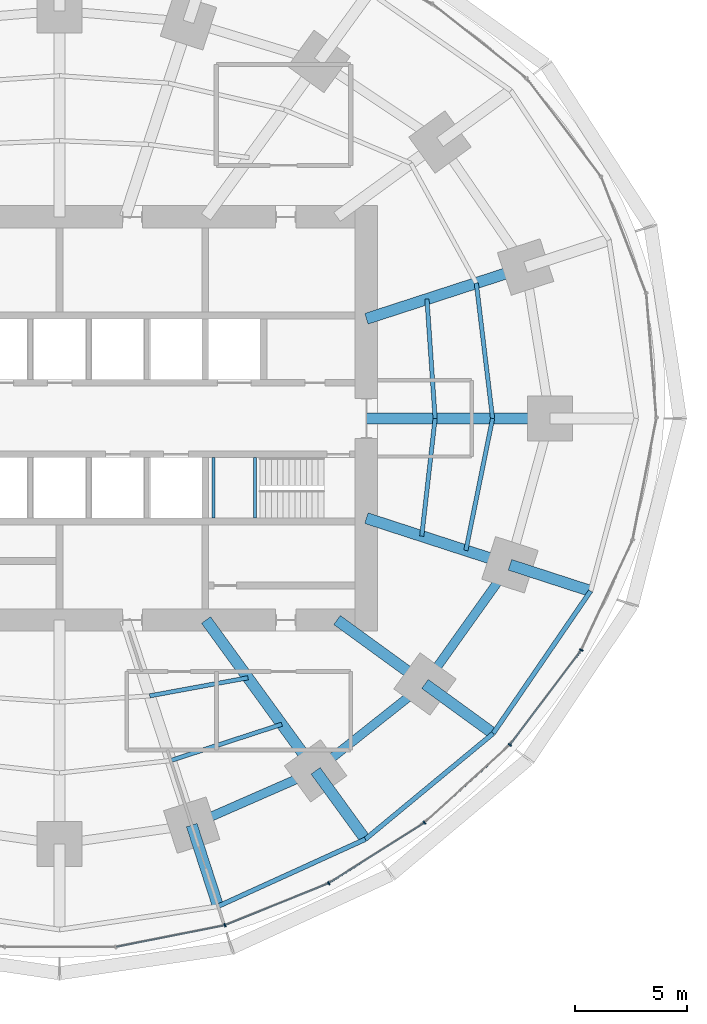
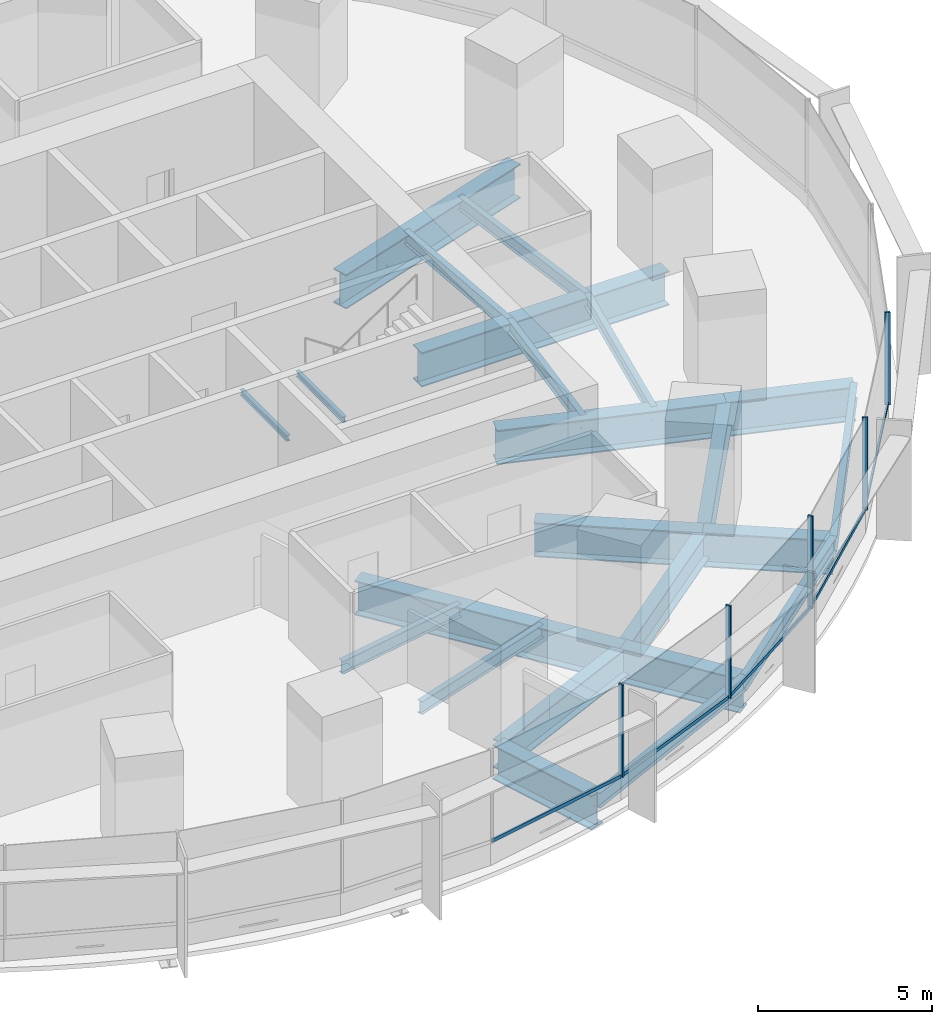
# One storey, part 5 of 15: 23 beams, 10 members, 2 elements without a shape of their own.
"""IFC4 building model written with IfcOpenShell, lengths in metres."""

import ifcopenshell
import ifcopenshell.guid

model = None  # the IFC model being written
_history = None  # IfcOwnerHistory: only IFC2X3 demands one
_inside = {}  # id of a spatial element -> (the spatial element, [elements in it])
_under = {}  # id of a project, library or spatial element -> (it, [spatial elements below it])
_declared = {}  # id of a project -> (the project, [libraries it declares])
_typed = {}  # id of a type object -> (the type object, [elements of that type])
_made_of = {}  # id of a material, layer set ... -> (it, [elements and type objects made of it])


def new_model(schema):
    """Start an empty IFC model of exactly this schema.

    Asked for "IFC4X3", IfcOpenShell would pick the latest addendum, in which some entities
    have other attributes; the version numbers below select the first issue.
    IFC2X3 requires an IfcOwnerHistory on every rooted entity: one is made here for all.
    """
    global model, _history
    if schema == "IFC4X3":
        model = ifcopenshell.file(schema_version=(4, 3, 0, 0))
    else:
        model = ifcopenshell.file(schema=schema)
    _inside.clear()
    _under.clear()
    _declared.clear()
    _typed.clear()
    _made_of.clear()
    _history = None
    if model.schema == "IFC2X3":
        org = make("IfcOrganization", Name="unknown")
        user = make(
            "IfcPersonAndOrganization",
            ThePerson=make("IfcPerson", FamilyName="unknown"),
            TheOrganization=org,
        )
        app = make(
            "IfcApplication",
            ApplicationDeveloper=org,
            Version="unknown",
            ApplicationFullName="unknown",
            ApplicationIdentifier="unknown",
        )
        _history = make(
            "IfcOwnerHistory",
            OwningUser=user,
            OwningApplication=app,
            ChangeAction="ADDED",
            CreationDate=0,
        )
    return model


def make(cls, **values):
    """One entity of the class cls with the attributes given. An attribute that is None is left unset."""
    return model.create_entity(
        cls, **{name: value for name, value in values.items() if value is not None}
    )


def rooted(cls, **values):
    """An entity with a GlobalId (a new one), such as an element, a storey or a relation."""
    return make(cls, GlobalId=ifcopenshell.guid.new(), OwnerHistory=_history, **values)


def si_unit(unit_type, name, prefix=None):
    """IfcSIUnit, for example si_unit("LENGTHUNIT", "METRE", prefix="MILLI")."""
    return make("IfcSIUnit", UnitType=unit_type, Prefix=prefix, Name=name)


def assignment(units):
    """IfcUnitAssignment: the units of a project."""
    return None if units is None else make("IfcUnitAssignment", Units=units)


def point(xyz):
    """IfcCartesianPoint."""
    return None if xyz is None else make("IfcCartesianPoint", Coordinates=xyz)


def direction(xyz):
    """IfcDirection."""
    return None if xyz is None else make("IfcDirection", DirectionRatios=xyz)


def frame(location, z_axis=None, x_axis=None):
    """IfcAxis2Placement3D, a coordinate frame: its origin and axes. An axis left out is left unset."""
    return make(
        "IfcAxis2Placement3D",
        Location=point(location),
        Axis=direction(z_axis),
        RefDirection=direction(x_axis),
    )


def frame_2d(location, x_axis=None):
    """IfcAxis2Placement2D, a coordinate frame in the plane: its origin and x axis."""
    return make(
        "IfcAxis2Placement2D", Location=point(location), RefDirection=direction(x_axis)
    )


def origin():
    """The frame at (0, 0, 0) with its axes left unset."""
    return frame((0.0, 0.0, 0.0))


def origin_2d():
    """The frame at (0, 0) in the plane with its x axis left unset."""
    return frame_2d((0.0, 0.0))


def place(relative_to, where):
    """IfcLocalPlacement: puts the frame where relative to a parent placement (None: the world)."""
    return make(
        "IfcLocalPlacement", PlacementRelTo=relative_to, RelativePlacement=where
    )


def context(
    kind, dimensions, precision=None, world=None, true_north=None, identifier=None
):
    """IfcGeometricRepresentationContext, for example the 3D "Model" context."""
    return make(
        "IfcGeometricRepresentationContext",
        ContextIdentifier=identifier,
        ContextType=kind,
        CoordinateSpaceDimension=dimensions,
        Precision=precision,
        WorldCoordinateSystem=world,
        TrueNorth=true_north,
    )


def subcontext(parent, identifier, kind, view, scale=None):
    """IfcGeometricRepresentationSubContext, for example "Body" below "Model"."""
    return make(
        "IfcGeometricRepresentationSubContext",
        ContextIdentifier=identifier,
        ContextType=kind,
        ParentContext=parent,
        TargetScale=scale,
        TargetView=view,
    )


def project(units=None, contexts=None):
    """IfcProject with its units and contexts."""
    return rooted(
        "IfcProject",
        Name="project",
        RepresentationContexts=contexts,
        UnitsInContext=assignment(units),
    )


def spatial(cls, under=None, at=None, **own):
    """A site, building, storey or space (cls), placed at a placement, below another one or the project."""
    s = rooted(cls, ObjectPlacement=at, **own)
    if under is not None:
        _under.setdefault(under.id(), (under, []))[1].append(s)
    return s


def profile(cls, at=None, kind="AREA", **sizes):
    """A parametric profile (cls). Its sizes go by their IFC names, for example OverallWidth=200.0."""
    return make(cls, ProfileType=kind, Position=at, **sizes)


def rectangle(**sizes):
    """IfcRectangleProfileDef."""
    return profile("IfcRectangleProfileDef", **sizes)


def i_section(**sizes):
    """IfcIShapeProfileDef."""
    return profile("IfcIShapeProfileDef", **sizes)


def extrude(swept, where, along, depth):
    """IfcExtrudedAreaSolid: the profile swept, set in the frame where, extruded along a direction by depth."""
    return make(
        "IfcExtrudedAreaSolid",
        SweptArea=swept,
        Position=where,
        ExtrudedDirection=direction(along),
        Depth=depth,
    )


def shape(context_of_items, identifier, shape_type, items):
    """IfcShapeRepresentation: the items that make up one representation, for example the "Body"."""
    return make(
        "IfcShapeRepresentation",
        ContextOfItems=context_of_items,
        RepresentationIdentifier=identifier,
        RepresentationType=shape_type,
        Items=items,
    )


def material(Name=None, Category=None):
    """IfcMaterial."""
    return make("IfcMaterial", Name=Name, Category=Category)


def material_profile(
    of_material, cross_section, Name=None, Category=None, Priority=None
):
    """IfcMaterialProfile: a cross section and its material."""
    return make(
        "IfcMaterialProfile",
        Name=Name,
        Material=of_material,
        Profile=cross_section,
        Priority=Priority,
        Category=Category,
    )


def profile_set(profiles, Name=None, composite=None):
    """IfcMaterialProfileSet."""
    return make(
        "IfcMaterialProfileSet",
        Name=Name,
        MaterialProfiles=profiles,
        CompositeProfile=composite,
    )


def made_of(thing, what):
    """Note that an element or type object is made of a material, layer set ...; save() writes the relation."""
    if what is not None:
        _made_of.setdefault(what.id(), (what, []))[1].append(thing)
    return thing


def type_object(cls, material=None, **own):
    """A type object (cls), such as IfcWallType, which elements share."""
    return made_of(rooted(cls, **own), material)


def element(
    cls,
    number,
    at=None,
    inside=None,
    cuts=None,
    type_object=None,
    material=None,
    context=None,
    identifier="Body",
    shape_type=None,
    held_by="IfcProductDefinitionShape",
    body=None,
    shapes=None,
    **own,
):
    """One element of the class cls, such as IfcWall. Its Tag is "e" and its number.

    at: its placement. inside: the storey or other place that contains it. cuts: it is an
    opening in that element (IfcRelVoidsElement). A single representation is given by context,
    identifier, shape_type and body (its items); several are given by shapes. held_by: the class
    of the entity that holds the representations. save() writes the other relations.
    """
    e = rooted(cls, Tag="e%d" % number, ObjectPlacement=at, **own)
    if body is not None:
        shapes = [shape(context, identifier, shape_type, body)]
    if shapes is not None:
        e.Representation = make(held_by, Representations=shapes)
    if inside is not None:
        _inside.setdefault(inside.id(), (inside, []))[1].append(e)
    if cuts is not None:
        rooted(
            "IfcRelVoidsElement", RelatingBuildingElement=cuts, RelatedOpeningElement=e
        )
    if type_object is not None:
        _typed.setdefault(type_object.id(), (type_object, []))[1].append(e)
    return made_of(e, material)


def aggregate(whole, parts):
    """IfcRelAggregates: a whole, such as a stair, and the parts it consists of."""
    return rooted("IfcRelAggregates", RelatingObject=whole, RelatedObjects=parts)


def save(model, path):
    """Write the relations noted so far, then the file.

    IfcRelAggregates (storeys below a building ...), IfcRelContainedInSpatialStructure (elements
    in a storey), IfcRelDefinesByType, IfcRelAssociatesMaterial and IfcRelDeclares: one each for
    every whole, place, type object, material and project.
    """
    for whole, parts in _under.values():
        aggregate(whole, parts)
    for where, things in _inside.values():
        rooted(
            "IfcRelContainedInSpatialStructure",
            RelatedElements=things,
            RelatingStructure=where,
        )
    for kind, things in _typed.values():
        rooted("IfcRelDefinesByType", RelatedObjects=things, RelatingType=kind)
    for what, things in _made_of.values():
        rooted("IfcRelAssociatesMaterial", RelatedObjects=things, RelatingMaterial=what)
    for by, libraries in _declared.values():
        rooted("IfcRelDeclares", RelatingContext=by, RelatedDefinitions=libraries)
    model.write(path)


model = new_model("IFC4")

# Units and contexts
model_context = context("Model", 3, precision=1e-05, world=origin(), true_north=direction((0.0, 1.0)))
body_context = subcontext(model_context, "Body", "Model", "MODEL_VIEW")
ifc_project = project(units=[si_unit("LENGTHUNIT", "METRE"), si_unit("AREAUNIT", "SQUARE_METRE"), si_unit("VOLUMEUNIT", "CUBIC_METRE"), si_unit("PLANEANGLEUNIT", "RADIAN"), si_unit("MASSUNIT", "GRAM", prefix="KILO")], contexts=[model_context])

# Site, building, storey
site_placement = place(None, origin())
site = spatial("IfcSite", under=ifc_project, at=site_placement, CompositionType="ELEMENT")
building_placement = place(site_placement, origin())
building = spatial("IfcBuilding", under=site, at=building_placement, Name="Marramba Exchange Tower", CompositionType="ELEMENT")
storey_placement = place(building_placement, frame((0.0, 0.0, 23.800048828125)))
storey = spatial("IfcBuildingStorey", under=building, at=storey_placement, Name="L05", CompositionType="ELEMENT", Elevation=23.800048828125)

# Beams
ifc_material_1 = material(Name="Steel AS/NZS 3679.2 grade 300", Category="steel")
ifc_material_profile_1 = material_profile(ifc_material_1, i_section(OverallWidth=0.5, OverallDepth=1.199951171875, WebThickness=0.01611328125, FlangeThickness=0.0400390625, at=origin_2d()), Name="1200WB455")
ifc_profile_set_1 = profile_set([ifc_material_profile_1], Name="Steel AS/NZS 3679.2 grade 300")
beam_type_1 = type_object("IfcBeamType", Name="Cantilever girder 1200WB455", PredefinedType="BEAM", material=ifc_profile_set_1)
beam_1_placement = place(storey_placement, frame((5.899658203125, -18.156982421875, -0.760009765625), z_axis=(0.309009272901, -0.951059025119, 0.0), x_axis=(0.951059025119, 0.309009272901, 0.0)))
element("IfcBeam", 1, at=beam_1_placement, inside=storey, type_object=beam_type_1, Name="Cantilever girder L05 TC17", PredefinedType="BEAM", context=body_context, shape_type="SweptSolid", body=[
    extrude(i_section(OverallWidth=0.5, OverallDepth=1.199951171875, WebThickness=0.01611328125, FlangeThickness=0.0400390625, at=origin_2d()), origin(), (0.0, 0.0, 1.0), 3.809814453125),
])
beam_2_placement = place(storey_placement, frame((11.430419921875, -15.732666015625, -0.760009765625), z_axis=(0.587787232741, -0.809015555491, 0.0), x_axis=(0.809015555491, 0.587787232741, 0.0)))
element("IfcBeam", 2, at=beam_2_placement, inside=storey, type_object=beam_type_1, Name="Cantilever girder L05 TC18", PredefinedType="BEAM", context=body_context, shape_type="SweptSolid", body=[
    extrude(i_section(OverallWidth=0.5, OverallDepth=1.199951171875, WebThickness=0.01611328125, FlangeThickness=0.0400390625, at=origin_2d()), origin(), (0.0, 0.0, 1.0), 3.7763671875),
])
beam_3_placement = place(storey_placement, frame((16.3154296875, -11.853759765625, -0.760009765625), z_axis=(0.809008346081, -0.587797155463, 0.0), x_axis=(0.587797155463, 0.809008346081, 0.0)))
element("IfcBeam", 3, at=beam_3_placement, inside=storey, type_object=beam_type_1, Name="Cantilever girder L05 TC19", PredefinedType="BEAM", context=body_context, shape_type="SweptSolid", body=[
    extrude(i_section(OverallWidth=0.5, OverallDepth=1.199951171875, WebThickness=0.01611328125, FlangeThickness=0.0400390625, at=origin_2d()), origin(), (0.0, 0.0, 1.0), 3.76025390625),
])
beam_4_placement = place(storey_placement, frame((20.109375, -6.533935546875, -0.760009765625), z_axis=(0.951048759501, -0.309040866314, 0.0), x_axis=(0.309040866314, 0.951048759501, 0.0)))
element("IfcBeam", 4, at=beam_4_placement, inside=storey, type_object=beam_type_1, Name="Cantilever girder L05 TC20", PredefinedType="BEAM", context=body_context, shape_type="SweptSolid", body=[
    extrude(i_section(OverallWidth=0.5, OverallDepth=1.199951171875, WebThickness=0.01611328125, FlangeThickness=0.0400390625, at=origin_2d()), origin(), (0.0, 0.0, 1.0), 3.78564453125),
])
ifc_material_2 = material(Name="Steel AS/NZS 3679.1 grade 300", Category="steel")
ifc_material_profile_2 = material_profile(ifc_material_2, i_section(OverallWidth=0.18994140625, OverallDepth=0.4541015625, WebThickness=0.008544921875, FlangeThickness=0.0126953125, FilletRadius=0.011474609375, at=origin_2d()), Name="460UB67.1")
ifc_profile_set_2 = profile_set([ifc_material_profile_2], Name="Steel AS/NZS 3679.1 grade 300")
beam_type_2 = type_object("IfcBeamType", Name="Floor joist 460UB67.1", PredefinedType="JOIST", material=ifc_profile_set_2)
beam_5_placement = place(storey_placement, frame((16.7666015625, 0.0, -0.386962890625), z_axis=(-0.068096259546, 0.99767875563, 0.0), x_axis=(-0.99767875563, -0.068096259546, 0.0)))
element("IfcBeam", 5, at=beam_5_placement, inside=storey, type_object=beam_type_2, Name="Joist L05 bay 01 row 1", PredefinedType="JOIST", context=body_context, shape_type="SweptSolid", body=[
    extrude(i_section(OverallWidth=0.18994140625, OverallDepth=0.4541015625, WebThickness=0.008544921875, FlangeThickness=0.0126953125, FilletRadius=0.011474609375, at=origin_2d()), origin(), (0.0, 0.0, 1.0), 5.342041015625),
])
beam_6_placement = place(storey_placement, frame((19.333251953125, 0.0, -0.386962890625), z_axis=(-0.119523078538, 0.992831422597, 0.0), x_axis=(-0.992831422597, -0.119523078538, 0.0)))
element("IfcBeam", 6, at=beam_6_placement, inside=storey, type_object=beam_type_2, Name="Joist L05 bay 01 row 2", PredefinedType="JOIST", context=body_context, shape_type="SweptSolid", body=[
    extrude(i_section(OverallWidth=0.18994140625, OverallDepth=0.4541015625, WebThickness=0.008544921875, FlangeThickness=0.0126953125, FilletRadius=0.011474609375, at=origin_2d()), origin(), (0.0, 0.0, 1.0), 6.089111328125),
])
beam_7_placement = place(storey_placement, frame((4.0244140625, -12.3857421875, -0.386962890625), z_axis=(0.983455754421, 0.181148500119, 0.0), x_axis=(-0.181148500119, 0.983455754421, 0.0)))
element("IfcBeam", 7, at=beam_7_placement, inside=storey, type_object=beam_type_2, Name="Joist L05 bay 17 row 1", PredefinedType="JOIST", context=body_context, shape_type="SweptSolid", body=[
    extrude(i_section(OverallWidth=0.18994140625, OverallDepth=0.4541015625, WebThickness=0.008544921875, FlangeThickness=0.0126953125, FilletRadius=0.011474609375, at=origin_2d()), origin(), (0.0, 0.0, 1.0), 4.4609375),
])
beam_8_placement = place(storey_placement, frame((4.9619140625, -15.271484375, -0.386962890625), z_axis=(0.950764024931, 0.309915744834, 0.0), x_axis=(-0.309915744834, 0.950764024931, 0.0)))
element("IfcBeam", 8, at=beam_8_placement, inside=storey, type_object=beam_type_2, Name="Joist L05 bay 17 row 2", PredefinedType="JOIST", context=body_context, shape_type="SweptSolid", body=[
    extrude(i_section(OverallWidth=0.18994140625, OverallDepth=0.4541015625, WebThickness=0.008544921875, FlangeThickness=0.0126953125, FilletRadius=0.011474609375, at=origin_2d()), origin(), (0.0, 0.0, 1.0), 5.2158203125),
])
beam_9_placement = place(storey_placement, frame((16.169677734375, -5.25390625, -0.386962890625), z_axis=(0.112888968594, 0.993607609054, 0.0), x_axis=(-0.993607609054, 0.112888968594, 0.0)))
element("IfcBeam", 9, at=beam_9_placement, inside=storey, type_object=beam_type_2, Name="Joist L05 bay 20 row 1", PredefinedType="JOIST", context=body_context, shape_type="SweptSolid", body=[
    extrude(i_section(OverallWidth=0.18994140625, OverallDepth=0.4541015625, WebThickness=0.008544921875, FlangeThickness=0.0126953125, FilletRadius=0.011474609375, at=origin_2d()), origin(), (0.0, 0.0, 1.0), 5.28759765625),
])
beam_10_placement = place(storey_placement, frame((18.1396484375, -5.893798828125, -0.386962890625), z_axis=(0.198489047047, 0.980103105904, 0.0), x_axis=(-0.980103105904, 0.198489047047, 0.0)))
element("IfcBeam", 10, at=beam_10_placement, inside=storey, type_object=beam_type_2, Name="Joist L05 bay 20 row 2", PredefinedType="JOIST", context=body_context, shape_type="SweptSolid", body=[
    extrude(i_section(OverallWidth=0.18994140625, OverallDepth=0.4541015625, WebThickness=0.008544921875, FlangeThickness=0.0126953125, FilletRadius=0.011474609375, at=origin_2d()), origin(), (0.0, 0.0, 1.0), 6.013427734375),
])
ifc_material_profile_3 = material_profile(ifc_material_1, i_section(OverallWidth=0.5, OverallDepth=1.199951171875, WebThickness=0.01611328125, FlangeThickness=0.0400390625, at=origin_2d()), Name="1200WB455")
ifc_profile_set_3 = profile_set([ifc_material_profile_3], Name="Steel AS/NZS 3679.2 grade 300")
beam_type_3 = type_object("IfcBeamType", Name="Radial girder 1200WB455", PredefinedType="BEAM", material=ifc_profile_set_3)
beam_11_placement = place(storey_placement, frame((13.699951171875, 0.0, -0.760009765625), z_axis=(1.0, 0.0, 0.0), x_axis=(0.0, 1.0, 0.0)))
element("IfcBeam", 11, at=beam_11_placement, inside=storey, type_object=beam_type_3, Name="Radial girder L05 TC01", PredefinedType="BEAM", context=body_context, shape_type="SweptSolid", body=[
    extrude(i_section(OverallWidth=0.5, OverallDepth=1.199951171875, WebThickness=0.01611328125, FlangeThickness=0.0400390625, at=origin_2d()), origin(), (0.0, 0.0, 1.0), 8.199951171875),
])
beam_12_placement = place(storey_placement, frame((13.699951171875, 4.451416015625, -0.760009765625), z_axis=(0.951059990189, 0.309006302624, 0.0), x_axis=(-0.309006302624, 0.951059990189, 0.0)))
element("IfcBeam", 12, at=beam_12_placement, inside=storey, type_object=beam_type_3, Name="Radial girder L05 TC02", PredefinedType="BEAM", context=body_context, shape_type="SweptSolid", body=[
    extrude(i_section(OverallWidth=0.5, OverallDepth=1.199951171875, WebThickness=0.01611328125, FlangeThickness=0.0400390625, at=origin_2d()), origin(), (0.0, 0.0, 1.0), 7.47412109375),
])
beam_13_placement = place(storey_placement, frame((6.538818359375, -9.0, -0.760009765625), z_axis=(0.587787877172, -0.809015087282, 0.0), x_axis=(0.809015087282, 0.587787877172, 0.0)))
element("IfcBeam", 13, at=beam_13_placement, inside=storey, type_object=beam_type_3, Name="Radial girder L05 TC18", PredefinedType="BEAM", context=body_context, shape_type="SweptSolid", body=[
    extrude(i_section(OverallWidth=0.5, OverallDepth=1.199951171875, WebThickness=0.01611328125, FlangeThickness=0.0400390625, at=origin_2d()), origin(), (0.0, 0.0, 1.0), 8.322021484375),
])
beam_14_placement = place(storey_placement, frame((12.387451171875, -9.0, -0.760009765625), z_axis=(0.809025189606, -0.58777397236, 0.0), x_axis=(0.58777397236, 0.809025189606, 0.0)))
element("IfcBeam", 14, at=beam_14_placement, inside=storey, type_object=beam_type_3, Name="Radial girder L05 TC19", PredefinedType="BEAM", context=body_context, shape_type="SweptSolid", body=[
    extrude(i_section(OverallWidth=0.5, OverallDepth=1.199951171875, WebThickness=0.01611328125, FlangeThickness=0.0400390625, at=origin_2d()), origin(), (0.0, 0.0, 1.0), 4.855224609375),
])
beam_15_placement = place(storey_placement, frame((13.699951171875, -4.451416015625, -0.760009765625), z_axis=(0.951057759669, -0.309013167637, 0.0), x_axis=(0.309013167637, 0.951057759669, 0.0)))
element("IfcBeam", 15, at=beam_15_placement, inside=storey, type_object=beam_type_3, Name="Radial girder L05 TC20", PredefinedType="BEAM", context=body_context, shape_type="SweptSolid", body=[
    extrude(i_section(OverallWidth=0.5, OverallDepth=1.199951171875, WebThickness=0.01611328125, FlangeThickness=0.0400390625, at=origin_2d()), origin(), (0.0, 0.0, 1.0), 6.7392578125),
])
ifc_material_profile_4 = material_profile(ifc_material_1, i_section(OverallWidth=0.39990234375, OverallDepth=1.0, WebThickness=0.01611328125, FlangeThickness=0.031982421875, at=origin_2d()), Name="1000WB322")
ifc_profile_set_4 = profile_set([ifc_material_profile_4], Name="Steel AS/NZS 3679.2 grade 300")
beam_type_4 = type_object("IfcBeamType", Name="Ring beam 1000WB322", PredefinedType="SPANDREL", material=ifc_profile_set_4)
beam_16_placement = place(storey_placement, frame((5.899658203125, -18.156982421875, -0.66015625), z_axis=(0.915876892158, 0.4014592363, 0.0), x_axis=(-0.4014592363, 0.915876892158, 0.0)))
element("IfcBeam", 16, at=beam_16_placement, inside=storey, type_object=beam_type_4, Name="Ring beam L05 TC17-TC18", PredefinedType="SPANDREL", context=body_context, shape_type="SweptSolid", body=[
    extrude(i_section(OverallWidth=0.39990234375, OverallDepth=1.0, WebThickness=0.01611328125, FlangeThickness=0.031982421875, at=origin_2d()), origin(), (0.0, 0.0, 1.0), 6.038818359375),
])
beam_17_placement = place(storey_placement, frame((11.430419921875, -15.732666015625, -0.66015625), z_axis=(0.783139438128, 0.621846138887, 0.0), x_axis=(-0.621846138887, 0.783139438128, 0.0)))
element("IfcBeam", 17, at=beam_17_placement, inside=storey, type_object=beam_type_4, Name="Ring beam L05 TC18-TC19", PredefinedType="SPANDREL", context=body_context, shape_type="SweptSolid", body=[
    extrude(i_section(OverallWidth=0.39990234375, OverallDepth=1.0, WebThickness=0.01611328125, FlangeThickness=0.031982421875, at=origin_2d()), origin(), (0.0, 0.0, 1.0), 6.23779296875),
])
beam_18_placement = place(storey_placement, frame((16.3154296875, -11.853759765625, -0.66015625), z_axis=(0.580637181111, 0.814162430914, 0.0), x_axis=(-0.814162430914, 0.580637181111, 0.0)))
element("IfcBeam", 18, at=beam_18_placement, inside=storey, type_object=beam_type_4, Name="Ring beam L05 TC19-TC20", PredefinedType="SPANDREL", context=body_context, shape_type="SweptSolid", body=[
    extrude(i_section(OverallWidth=0.39990234375, OverallDepth=1.0, WebThickness=0.01611328125, FlangeThickness=0.031982421875, at=origin_2d()), origin(), (0.0, 0.0, 1.0), 6.5341796875),
])
ifc_material_profile_5 = material_profile(ifc_material_2, i_section(OverallWidth=0.208984375, OverallDepth=0.528076171875, WebThickness=0.009521484375, FlangeThickness=0.01318359375, FilletRadius=0.013916015625, at=origin_2d()), Name="530UB82.0")
ifc_profile_set_5 = profile_set([ifc_material_profile_5], Name="Steel AS/NZS 3679.1 grade 300")
beam_type_5 = type_object("IfcBeamType", Name="Slab edge beam 530UB82.0", PredefinedType="SPANDREL", material=ifc_profile_set_5)
beam_19_placement = place(storey_placement, frame((7.076904296875, -21.7802734375, -0.424072265625), z_axis=(0.910126690081, 0.414330071324, 0.0), x_axis=(-0.414330071324, 0.910126690081, 0.0)))
element("IfcBeam", 19, at=beam_19_placement, inside=storey, type_object=beam_type_5, Name="Slab edge beam L05 TC17-TC18", PredefinedType="SPANDREL", context=body_context, shape_type="SweptSolid", body=[
    extrude(i_section(OverallWidth=0.208984375, OverallDepth=0.528076171875, WebThickness=0.009521484375, FlangeThickness=0.01318359375, FilletRadius=0.013916015625, at=origin_2d()), origin(), (0.0, 0.0, 1.0), 7.222412109375),
])
beam_20_placement = place(storey_placement, frame((13.650146484375, -18.787841796875, -0.424072265625), z_axis=(0.770353575372, 0.637616945283, 0.0), x_axis=(-0.637616945283, 0.770353575372, 0.0)))
element("IfcBeam", 20, at=beam_20_placement, inside=storey, type_object=beam_type_5, Name="Slab edge beam L05 TC18-TC19", PredefinedType="SPANDREL", context=body_context, shape_type="SweptSolid", body=[
    extrude(i_section(OverallWidth=0.208984375, OverallDepth=0.528076171875, WebThickness=0.009521484375, FlangeThickness=0.01318359375, FilletRadius=0.013916015625, at=origin_2d()), origin(), (0.0, 0.0, 1.0), 7.40869140625),
])
beam_21_placement = place(storey_placement, frame((19.357421875, -14.06396484375, -0.424072265625), z_axis=(0.564740697285, 0.82526840775, 0.0), x_axis=(-0.82526840775, 0.564740697285, 0.0)))
element("IfcBeam", 21, at=beam_21_placement, inside=storey, type_object=beam_type_5, Name="Slab edge beam L05 TC19-TC20", PredefinedType="SPANDREL", context=body_context, shape_type="SweptSolid", body=[
    extrude(i_section(OverallWidth=0.208984375, OverallDepth=0.528076171875, WebThickness=0.009521484375, FlangeThickness=0.01318359375, FilletRadius=0.013916015625, at=origin_2d()), origin(), (0.0, 0.0, 1.0), 7.706787109375),
])
ifc_material_profile_6 = material_profile(ifc_material_2, i_section(OverallWidth=0.133056640625, OverallDepth=0.202880859375, WebThickness=0.005859375, FlangeThickness=0.0078125, FilletRadius=0.0087890625, at=origin_2d()), Name="200UB25.4")
ifc_profile_set_6 = profile_set([ifc_material_profile_6], Name="Steel AS/NZS 3679.1 grade 300")
beam_type_6 = type_object("IfcBeamType", Name="Stair landing beam 200UB25.4", PredefinedType="BEAM", material=ifc_profile_set_6)
for number, where, z_axis, x_axis, name in (
    (22, (6.866455078125, -4.449951171875, 1.79833984375), (0.0, 1.0, 0.0), (-1.0, 0.0, 0.0), "Stair landing beam SLB1 ST2 L05 1"),
    (23, (8.723388671875, -4.449951171875, 1.79833984375), (0.0, 1.0, 0.0), (-1.0, 0.0, 0.0), "Stair landing beam SLB1 ST2 L05 2"),
):
    element("IfcBeam", number, at=place(storey_placement, frame(where, z_axis=z_axis, x_axis=x_axis)), inside=storey, type_object=beam_type_6, Name=name, PredefinedType="BEAM", context=body_context, shape_type="SweptSolid", body=[
        extrude(i_section(OverallWidth=0.133056640625, OverallDepth=0.202880859375, WebThickness=0.005859375, FlangeThickness=0.0078125, FilletRadius=0.0087890625, at=origin_2d()), origin(), (0.0, 0.0, 1.0), 2.699951171875),
    ])

# Curtain wall, member
ifc_material_3 = material(Name="Aluminium framing, bronze anodised", Category="aluminium")
curtain_wall_type = type_object("IfcCurtainWallType", Name="Trading floor ribbon curtain wall", PredefinedType="USERDEFINED", material=ifc_material_3)
curtain_wall_1_placement = place(storey_placement, origin())
curtain_wall_1 = element("IfcCurtainWall", 24, at=curtain_wall_1_placement, inside=storey, type_object=curtain_wall_type, Name="Curtain wall CW3 L05 F21-F25", ObjectType="RIBBON CURTAIN WALL", PredefinedType="USERDEFINED")
ifc_material_4 = material(Name="Aluminium mullion, bronze anodised", Category="aluminium")
ifc_material_profile_7 = material_profile(ifc_material_4, rectangle(XDim=0.159912109375, YDim=0.06005859375, at=origin_2d()), Name="CW3 mullion 60x160")
ifc_profile_set_7 = profile_set([ifc_material_profile_7], Name="Aluminium mullion, bronze anodised")
member_type_1 = type_object("IfcMemberType", Name="Trading floor ribbon curtain wall mullion", PredefinedType="MULLION", material=ifc_profile_set_7)
member_1_placement = place(storey_placement, frame((7.3828125, -22.625, 0.800048828125), z_axis=(0.0, 0.0, 1.0), x_axis=(-0.374218219325, 0.927340673283, 0.0)))
member_1 = element("IfcMember", 25, at=member_1_placement, type_object=member_type_1, Name="CW3 mullion 1", PredefinedType="MULLION", context=body_context, shape_type="SweptSolid", body=[
    extrude(rectangle(XDim=0.159912109375, YDim=0.06005859375, at=origin_2d()), origin(), (0.0, 0.0, 1.0), 3.239990234375),
])

# Curtain wall, members
curtain_wall_2_placement = place(storey_placement, origin())
curtain_wall_2 = element("IfcCurtainWall", 26, at=curtain_wall_2_placement, inside=storey, type_object=curtain_wall_type, Name="Curtain wall CW3 L05 F26-F30", ObjectType="RIBBON CURTAIN WALL", PredefinedType="USERDEFINED")
member_2_placement = place(storey_placement, frame((12.0146484375, -20.75, 0.800048828125), z_axis=(0.0, 0.0, 1.0), x_axis=(-0.533514646612, 0.845790826298, 0.0)))
member_2 = element("IfcMember", 27, at=member_2_placement, type_object=member_type_1, Name="CW3 mullion 1", PredefinedType="MULLION", context=body_context, shape_type="SweptSolid", body=[
    extrude(rectangle(XDim=0.159912109375, YDim=0.06005859375, at=origin_2d()), origin(), (0.0, 0.0, 1.0), 3.239990234375),
])
member_3_placement = place(storey_placement, frame((16.2900390625, -18.047119140625, 0.800048828125), z_axis=(0.0, 0.0, 1.0), x_axis=(-0.673058133441, 0.739589581463, 0.0)))
member_3 = element("IfcMember", 28, at=member_3_placement, type_object=member_type_1, Name="CW3 mullion 1", PredefinedType="MULLION", context=body_context, shape_type="SweptSolid", body=[
    extrude(rectangle(XDim=0.159912109375, YDim=0.06005859375, at=origin_2d()), origin(), (0.0, 0.0, 1.0), 3.239990234375),
])
member_4_placement = place(storey_placement, frame((20.103515625, -14.569091796875, 0.800048828125), z_axis=(0.0, 0.0, 1.0), x_axis=(-0.797710591138, 0.603040473588, 0.0)))
member_4 = element("IfcMember", 29, at=member_4_placement, type_object=member_type_1, Name="CW3 mullion 1", PredefinedType="MULLION", context=body_context, shape_type="SweptSolid", body=[
    extrude(rectangle(XDim=0.159912109375, YDim=0.06005859375, at=origin_2d()), origin(), (0.0, 0.0, 1.0), 3.239990234375),
])
member_5_placement = place(storey_placement, frame((23.2939453125, -10.33837890625, 0.800048828125), z_axis=(0.0, 0.0, 1.0), x_axis=(-0.905906758768, 0.423477206492, 0.0)))
member_5 = element("IfcMember", 30, at=member_5_placement, type_object=member_type_1, Name="CW3 mullion 1", PredefinedType="MULLION", context=body_context, shape_type="SweptSolid", body=[
    extrude(rectangle(XDim=0.159912109375, YDim=0.06005859375, at=origin_2d()), origin(), (0.0, 0.0, 1.0), 3.239990234375),
])

# Member
ifc_material_5 = material(Name="Aluminium transom, bronze anodised", Category="aluminium")
ifc_material_profile_8 = material_profile(ifc_material_5, rectangle(XDim=0.06005859375, YDim=0.1201171875, at=origin_2d()), Name="CW3 transom 60x120")
ifc_profile_set_8 = profile_set([ifc_material_profile_8], Name="Aluminium transom, bronze anodised")
member_type_2 = type_object("IfcMemberType", Name="Trading floor ribbon curtain wall transom", PredefinedType="USERDEFINED", material=ifc_profile_set_8)
member_6_placement = place(storey_placement, frame((2.539306640625, -23.58837890625, 0.829833984375), z_axis=(0.981008707181, 0.193963698758, 0.0), x_axis=(-0.193963698758, 0.981008707181, 0.0)))
member_6 = element("IfcMember", 31, at=member_6_placement, type_object=member_type_2, Name="CW3 sill transom", ObjectType="TRANSOM", PredefinedType="USERDEFINED", context=body_context, shape_type="SweptSolid", body=[
    extrude(rectangle(XDim=0.06005859375, YDim=0.1201171875, at=origin_2d()), origin(), (0.0, 0.0, 1.0), 4.908935546875),
])

member_7_placement = place(storey_placement, frame((7.41064453125, -22.61376953125, 0.829833984375), z_axis=(0.927340197166, 0.374219399176, 0.0), x_axis=(-0.374219399176, 0.927340197166, 0.0)))
member_7 = element("IfcMember", 32, at=member_7_placement, type_object=member_type_2, Name="CW3 sill transom", ObjectType="TRANSOM", PredefinedType="USERDEFINED", context=body_context, shape_type="SweptSolid", body=[
    extrude(rectangle(XDim=0.06005859375, YDim=0.1201171875, at=origin_2d()), origin(), (0.0, 0.0, 1.0), 4.937255859375),
])

aggregate(curtain_wall_1, [member_6, member_1, member_7])

member_8_placement = place(storey_placement, frame((12.0400390625, -20.734130859375, 0.829833984375), z_axis=(0.845776602594, 0.533537195053, 0.0), x_axis=(-0.533537195053, 0.845776602594, 0.0)))
member_8 = element("IfcMember", 33, at=member_8_placement, type_object=member_type_2, Name="CW3 sill transom", ObjectType="TRANSOM", PredefinedType="USERDEFINED", context=body_context, shape_type="SweptSolid", body=[
    extrude(rectangle(XDim=0.06005859375, YDim=0.1201171875, at=origin_2d()), origin(), (0.0, 0.0, 1.0), 4.998779296875),
])

member_9_placement = place(storey_placement, frame((16.312255859375, -18.02685546875, 0.829833984375), z_axis=(0.739582688456, 0.673065707741, 0.0), x_axis=(-0.673065707741, 0.739582688456, 0.0)))
member_9 = element("IfcMember", 34, at=member_9_placement, type_object=member_type_2, Name="CW3 sill transom", ObjectType="TRANSOM", PredefinedType="USERDEFINED", context=body_context, shape_type="SweptSolid", body=[
    extrude(rectangle(XDim=0.06005859375, YDim=0.1201171875, at=origin_2d()), origin(), (0.0, 0.0, 1.0), 5.101806640625),
])

member_10_placement = place(storey_placement, frame((20.12158203125, -14.545166015625, 0.829833984375), z_axis=(0.603037409419, 0.797712907531, 0.0), x_axis=(-0.797712907531, 0.603037409419, 0.0)))
member_10 = element("IfcMember", 35, at=member_10_placement, type_object=member_type_2, Name="CW3 sill transom", ObjectType="TRANSOM", PredefinedType="USERDEFINED", context=body_context, shape_type="SweptSolid", body=[
    extrude(rectangle(XDim=0.06005859375, YDim=0.1201171875, at=origin_2d()), origin(), (0.0, 0.0, 1.0), 5.239501953125),
])

aggregate(curtain_wall_2, [member_2, member_8, member_3, member_9, member_4, member_10, member_5])

save(model, "model.ifc")
